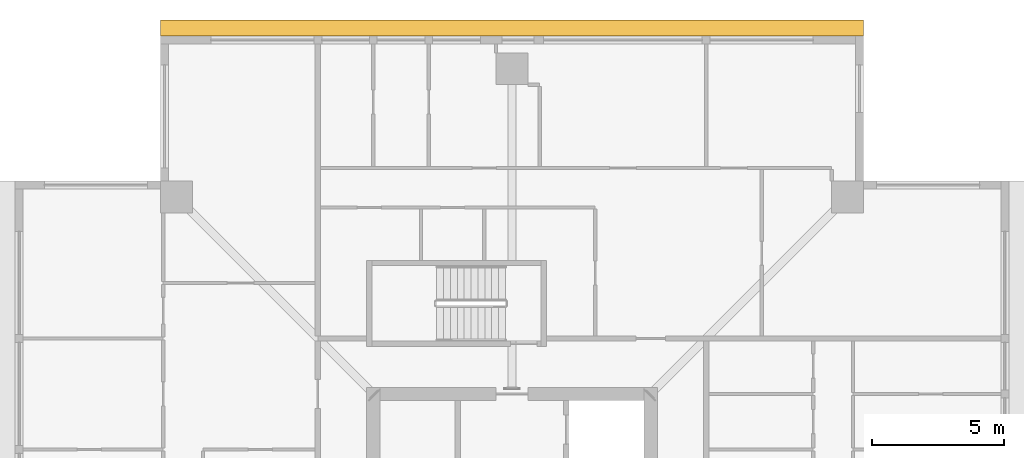
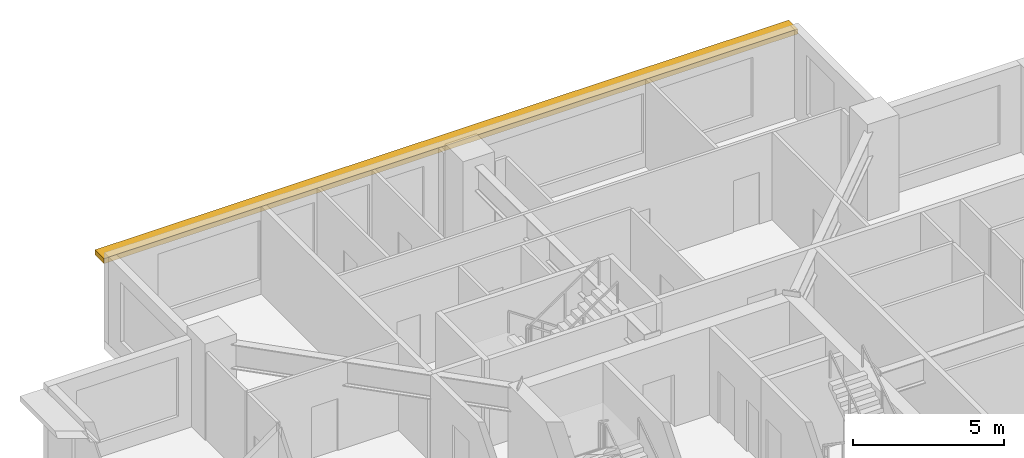
# One storey, part 11 of 11: 1 shading device.
"""IFC4 building model written with IfcOpenShell, lengths in metres."""

from ifc_helpers import new_model, si_unit, direction, frame, origin, place, context, subcontext, project, spatial, polyline, outline, extrude, material, layer, layer_set, type_object, element, save


model = new_model("IFC4")

# Units and contexts
model_context = context("Model", 3, precision=1e-05, world=origin(), true_north=direction((0.0, 1.0)))
body_context = subcontext(model_context, "Body", "Model", "MODEL_VIEW")
ifc_project = project(units=[si_unit("LENGTHUNIT", "METRE"), si_unit("AREAUNIT", "SQUARE_METRE"), si_unit("VOLUMEUNIT", "CUBIC_METRE"), si_unit("PLANEANGLEUNIT", "RADIAN"), si_unit("MASSUNIT", "GRAM", prefix="KILO")], contexts=[model_context])

# Site, building, storey
site_placement = place(None, origin())
site = spatial("IfcSite", under=ifc_project, at=site_placement, CompositionType="ELEMENT")
building_placement = place(site_placement, origin())
building = spatial("IfcBuilding", under=site, at=building_placement, Name="Khepri Terraces", CompositionType="ELEMENT")
storey_placement = place(building_placement, frame((0.0, 0.0, 308.39990234375)))
storey = spatial("IfcBuildingStorey", under=building, at=storey_placement, Name="L74", CompositionType="ELEMENT", Elevation=308.39990234375)

# Shading device
ifc_material = material(Name="Precast concrete C50/60 warm stone", Category="masonry")
ifc_layer = layer(ifc_material, 0.199951171875, Name="Precast concrete C50/60 warm stone", Category="masonry")
ifc_layer_set = layer_set([ifc_layer], Name="Precast concrete C50/60 warm stone")
shading_device_type = type_object("IfcShadingDeviceType", Name="SSH-BAND-STONE-200-N", PredefinedType="USERDEFINED", material=ifc_layer_set)
shading_device_placement = place(storey_placement, frame((0.0, 0.0, 3.10009765625)))
element("IfcShadingDevice", 1, at=shading_device_placement, inside=storey, type_object=shading_device_type, Name="Sunshade band L74 N", ObjectType="SUNSHADE", PredefinedType="USERDEFINED", context=body_context, shape_type="SweptSolid", body=[
    extrude(outline(polyline([(-13.300048828125, 18.800048828125), (13.300048828125, 18.800048828125), (13.300048828125, 19.39990234375), (-13.300048828125, 19.39990234375), (-13.300048828125, 18.800048828125)])), origin(), (0.0, 0.0, 1.0), 0.199951171875),
])

save(model, "model.ifc")
